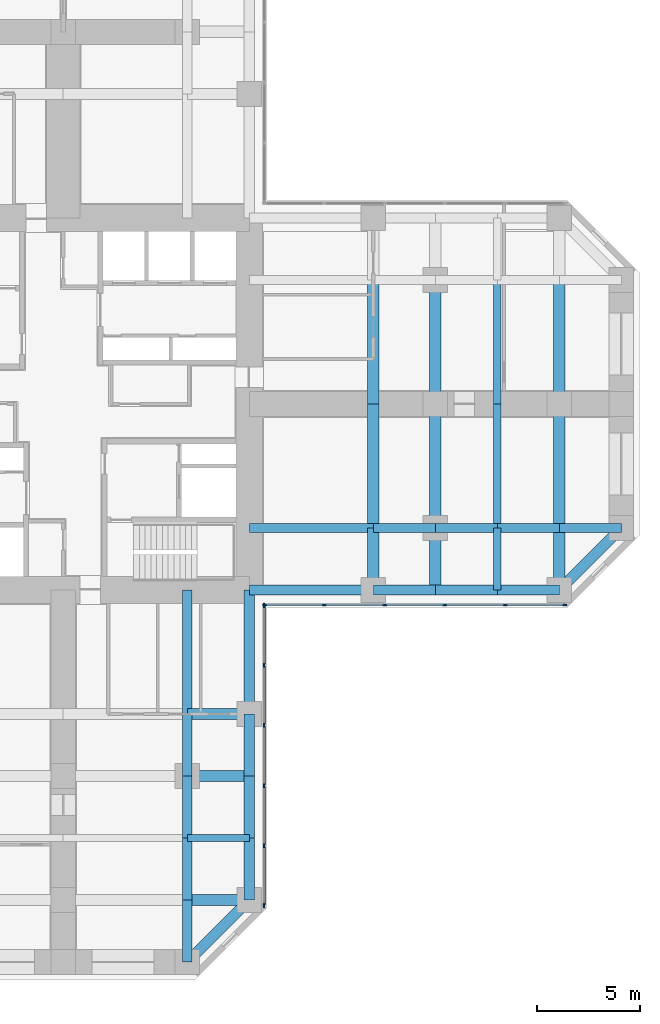
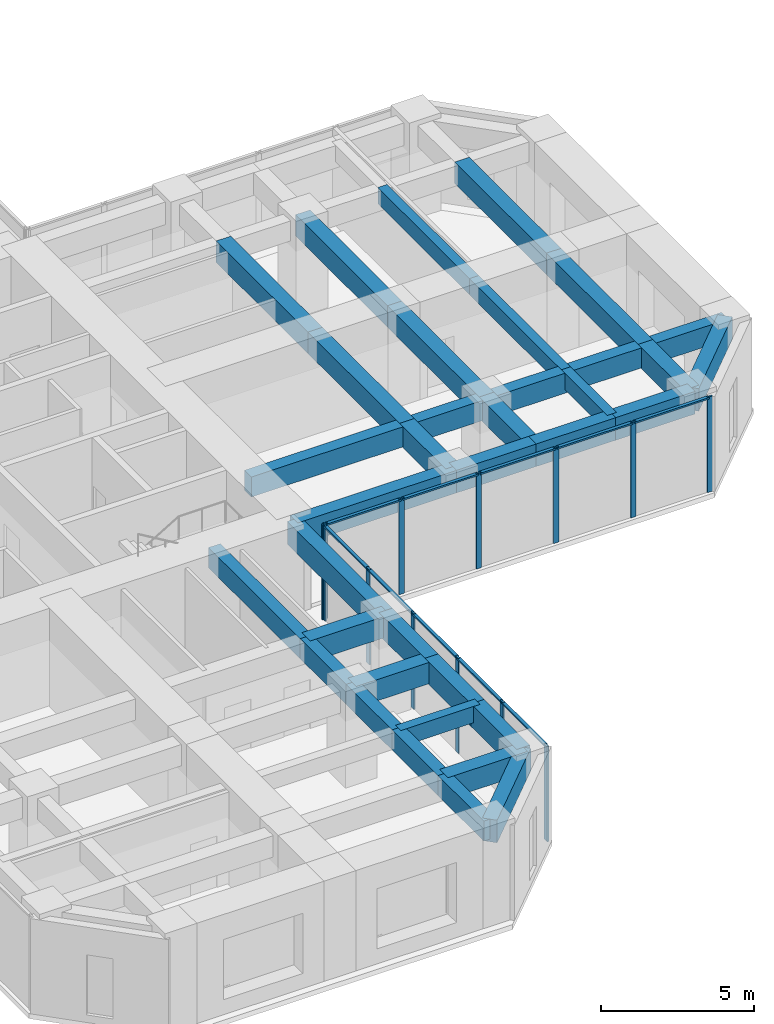
# One storey, part 4 of 12: 36 beams, 22 members, 2 elements without a shape of their own.
"""IFC4 building model written with IfcOpenShell, lengths in metres."""

from ifc_helpers import new_model, si_unit, direction, frame, origin, origin_2d, place, context, subcontext, project, spatial, rectangle, extrude, material, material_profile, profile_set, type_object, element, aggregate, save


model = new_model("IFC4")

# Units and contexts
model_context = context("Model", 3, precision=1e-05, world=origin(), true_north=direction((0.0, 1.0)))
body_context = subcontext(model_context, "Body", "Model", "MODEL_VIEW")
ifc_project = project(units=[si_unit("LENGTHUNIT", "METRE"), si_unit("AREAUNIT", "SQUARE_METRE"), si_unit("VOLUMEUNIT", "CUBIC_METRE"), si_unit("PLANEANGLEUNIT", "RADIAN"), si_unit("MASSUNIT", "GRAM", prefix="KILO")], contexts=[model_context])

# Site, building, storey
site_placement = place(None, origin())
site = spatial("IfcSite", under=ifc_project, at=site_placement, CompositionType="ELEMENT")
building_placement = place(site_placement, origin())
building = spatial("IfcBuilding", under=site, at=building_placement, Name="Torre Cruceta", CompositionType="ELEMENT")
storey_placement = place(building_placement, frame((0.0, 0.0, 67.5)))
storey = spatial("IfcBuildingStorey", under=building, at=storey_placement, Name="L16", CompositionType="ELEMENT", Elevation=67.5)

# Beams
ifc_material_1 = material(Name="Concrete G60 (fck 60 MPa)", Category="concrete")
ifc_material_profile_1 = material_profile(ifc_material_1, rectangle(XDim=0.449951171875, YDim=0.800048828125, at=origin_2d()), Name="RC 450X800")
ifc_profile_set_1 = profile_set([ifc_material_profile_1], Name="Concrete G60 (fck 60 MPa)")
beam_type_1 = type_object("IfcBeamType", Name="COLUMN LINE BEAM RC 450X800", PredefinedType="BEAM", material=ifc_profile_set_1)
beam_1_placement = place(storey_placement, frame((9.0, -6.0, 3.39990234375), z_axis=(1.0, 0.0, 0.0), x_axis=(0.0, 1.0, 0.0)))
element("IfcBeam", 1, at=beam_1_placement, inside=storey, type_object=beam_type_1, Name="LB1 L16 E col- 1", PredefinedType="BEAM", context=body_context, shape_type="SweptSolid", body=[
    extrude(rectangle(XDim=0.449951171875, YDim=0.800048828125, at=origin_2d()), origin(), (0.0, 0.0, 1.0), 6.0),
])
for number, where, z_axis, x_axis, name in (
    (2, (15.0, -6.0, 3.39990234375), (1.0, 0.0, 0.0), (0.0, 1.0, 0.0), "LB1 L16 E col- 2"),
    (3, (18.0, -6.0, 3.39990234375), (1.0, 0.0, 0.0), (0.0, 1.0, 0.0), "LB1 L16 E col- 3"),
    (4, (21.0, -6.0, 3.39990234375), (1.0, 0.0, 0.0), (0.0, 1.0, 0.0), "LB1 L16 E col- 4"),
    (5, (24.0, -6.0, 3.39990234375), (1.0, 0.0, 0.0), (0.0, 1.0, 0.0), "LB1 L16 E col- 5"),
):
    element("IfcBeam", number, at=place(storey_placement, frame(where, z_axis=z_axis, x_axis=x_axis)), inside=storey, type_object=beam_type_1, Name=name, PredefinedType="BEAM", context=body_context, shape_type="SweptSolid", body=[
        extrude(rectangle(XDim=0.449951171875, YDim=0.800048828125, at=origin_2d()), origin(), (0.0, 0.0, 1.0), 3.0),
    ])
beam_2_placement = place(storey_placement, frame((6.0, -9.0, 3.39990234375), z_axis=(0.0, -1.0, 0.0), x_axis=(1.0, 0.0, 0.0)))
element("IfcBeam", 6, at=beam_2_placement, inside=storey, type_object=beam_type_1, Name="LB1 L16 S col+ 1", PredefinedType="BEAM", context=body_context, shape_type="SweptSolid", body=[
    extrude(rectangle(XDim=0.449951171875, YDim=0.800048828125, at=origin_2d()), origin(), (0.0, 0.0, 1.0), 6.0),
])
for number, where, z_axis, x_axis, name in (
    (7, (6.0, -15.0, 3.39990234375), (0.0, -1.0, 0.0), (1.0, 0.0, 0.0), "LB1 L16 S col+ 2"),
    (8, (6.0, -18.0, 3.39990234375), (0.0, -1.0, 0.0), (1.0, 0.0, 0.0), "LB1 L16 S col+ 3"),
    (9, (6.0, -21.0, 3.39990234375), (0.0, -1.0, 0.0), (1.0, 0.0, 0.0), "LB1 L16 S col+ 4"),
    (10, (6.0, -24.0, 3.39990234375), (0.0, -1.0, 0.0), (1.0, 0.0, 0.0), "LB1 L16 S col+ 5"),
):
    element("IfcBeam", number, at=place(storey_placement, frame(where, z_axis=z_axis, x_axis=x_axis)), inside=storey, type_object=beam_type_1, Name=name, PredefinedType="BEAM", context=body_context, shape_type="SweptSolid", body=[
        extrude(rectangle(XDim=0.449951171875, YDim=0.800048828125, at=origin_2d()), origin(), (0.0, 0.0, 1.0), 3.0),
    ])
ifc_material_2 = material(Name="Concrete G60 (fck 60 MPa)", Category="concrete")
ifc_material_profile_2 = material_profile(ifc_material_2, rectangle(XDim=0.550048828125, YDim=0.85009765625, at=origin_2d()), Name="RC 550X850")
ifc_profile_set_2 = profile_set([ifc_material_profile_2], Name="Concrete G60 (fck 60 MPa)")
beam_type_2 = type_object("IfcBeamType", Name="CROSS BEAM RC 550X850", PredefinedType="BEAM", material=ifc_profile_set_2)
beam_3_placement = place(storey_placement, frame((15.0, -9.0, 3.375), z_axis=(0.0, 1.0, 0.0), x_axis=(-1.0, 0.0, 0.0)))
element("IfcBeam", 11, at=beam_3_placement, inside=storey, type_object=beam_type_2, Name="GB4 L16 E cross15 1", PredefinedType="BEAM", context=body_context, shape_type="SweptSolid", body=[
    extrude(rectangle(XDim=0.550048828125, YDim=0.85009765625, at=origin_2d()), origin(), (0.0, 0.0, 1.0), 3.0),
])
for number, where, z_axis, x_axis, name in (
    (12, (15.0, -6.0, 3.375), (0.0, 1.0, 0.0), (-1.0, 0.0, 0.0), "GB4 L16 E cross15 2"),
    (13, (15.0, 0.0, 3.375), (0.0, 1.0, 0.0), (-1.0, 0.0, 0.0), "GB4 L16 E cross15 3"),
):
    element("IfcBeam", number, at=place(storey_placement, frame(where, z_axis=z_axis, x_axis=x_axis)), inside=storey, type_object=beam_type_2, Name=name, PredefinedType="BEAM", context=body_context, shape_type="SweptSolid", body=[
        extrude(rectangle(XDim=0.550048828125, YDim=0.85009765625, at=origin_2d()), origin(), (0.0, 0.0, 1.0), 6.0),
    ])
beam_4_placement = place(storey_placement, frame((18.0, -9.0, 3.375), z_axis=(0.0, 1.0, 0.0), x_axis=(-1.0, 0.0, 0.0)))
element("IfcBeam", 14, at=beam_4_placement, inside=storey, type_object=beam_type_2, Name="GB4 L16 E cross18 1", PredefinedType="BEAM", context=body_context, shape_type="SweptSolid", body=[
    extrude(rectangle(XDim=0.550048828125, YDim=0.85009765625, at=origin_2d()), origin(), (0.0, 0.0, 1.0), 3.0),
])
for number, where, z_axis, x_axis, name in (
    (15, (18.0, -6.0, 3.375), (0.0, 1.0, 0.0), (-1.0, 0.0, 0.0), "GB4 L16 E cross18 2"),
    (16, (18.0, 0.0, 3.375), (0.0, 1.0, 0.0), (-1.0, 0.0, 0.0), "GB4 L16 E cross18 3"),
):
    element("IfcBeam", number, at=place(storey_placement, frame(where, z_axis=z_axis, x_axis=x_axis)), inside=storey, type_object=beam_type_2, Name=name, PredefinedType="BEAM", context=body_context, shape_type="SweptSolid", body=[
        extrude(rectangle(XDim=0.550048828125, YDim=0.85009765625, at=origin_2d()), origin(), (0.0, 0.0, 1.0), 6.0),
    ])
beam_5_placement = place(storey_placement, frame((24.0, -9.0, 3.375), z_axis=(0.0, 1.0, 0.0), x_axis=(-1.0, 0.0, 0.0)))
element("IfcBeam", 17, at=beam_5_placement, inside=storey, type_object=beam_type_2, Name="GB4 L16 E cross24 1", PredefinedType="BEAM", context=body_context, shape_type="SweptSolid", body=[
    extrude(rectangle(XDim=0.550048828125, YDim=0.85009765625, at=origin_2d()), origin(), (0.0, 0.0, 1.0), 3.0),
])
for number, where, z_axis, x_axis, name in (
    (18, (24.0, -6.0, 3.375), (0.0, 1.0, 0.0), (-1.0, 0.0, 0.0), "GB4 L16 E cross24 2"),
    (19, (24.0, 0.0, 3.375), (0.0, 1.0, 0.0), (-1.0, 0.0, 0.0), "GB4 L16 E cross24 3"),
):
    element("IfcBeam", number, at=place(storey_placement, frame(where, z_axis=z_axis, x_axis=x_axis)), inside=storey, type_object=beam_type_2, Name=name, PredefinedType="BEAM", context=body_context, shape_type="SweptSolid", body=[
        extrude(rectangle(XDim=0.550048828125, YDim=0.85009765625, at=origin_2d()), origin(), (0.0, 0.0, 1.0), 6.0),
    ])
for number, where, z_axis, x_axis, name in (
    (20, (6.0, -15.0, 3.375), (1.0, 0.0, 0.0), (0.0, 1.0, 0.0), "GB4 L16 S cross15 4"),
    (21, (6.0, -18.0, 3.375), (1.0, 0.0, 0.0), (0.0, 1.0, 0.0), "GB4 L16 S cross18 4"),
    (22, (6.0, -24.0, 3.375), (1.0, 0.0, 0.0), (0.0, 1.0, 0.0), "GB4 L16 S cross24 4"),
):
    element("IfcBeam", number, at=place(storey_placement, frame(where, z_axis=z_axis, x_axis=x_axis)), inside=storey, type_object=beam_type_2, Name=name, PredefinedType="BEAM", context=body_context, shape_type="SweptSolid", body=[
        extrude(rectangle(XDim=0.550048828125, YDim=0.85009765625, at=origin_2d()), origin(), (0.0, 0.0, 1.0), 3.0),
    ])

# Curtain wall, members
ifc_material_3 = material(Name="Aluminium unitised curtain wall", Category="aluminium")
curtain_wall_type = type_object("IfcCurtainWallType", Name="CURTAIN WALL CW-A OFFICE LOW RISE", PredefinedType="USERDEFINED", material=ifc_material_3)
curtain_wall_1_placement = place(storey_placement, origin())
curtain_wall_1 = element("IfcCurtainWall", 23, at=curtain_wall_1_placement, inside=storey, type_object=curtain_wall_type, Name="CW-A L16 E side 00", ObjectType="UNITISED", PredefinedType="USERDEFINED")
ifc_material_4 = material(Name="Aluminium mullion", Category="aluminium")
ifc_material_profile_3 = material_profile(ifc_material_4, rectangle(XDim=0.06494140625, YDim=0.199951171875, at=origin_2d()), Name="AL 65X200")
ifc_profile_set_3 = profile_set([ifc_material_profile_3], Name="Aluminium mullion")
member_type_1 = type_object("IfcMemberType", Name="CW-A MULLION 65X200", PredefinedType="MULLION", material=ifc_profile_set_3)
member_1_placement = place(storey_placement, frame((9.75244140625, -9.719970703125, 0.0), z_axis=(0.0, 0.0, 1.0), x_axis=(0.0, 1.0, 0.0)))
member_1 = element("IfcMember", 24, at=member_1_placement, type_object=member_type_1, Name="CW-A mullion 1", PredefinedType="MULLION", context=body_context, shape_type="SweptSolid", body=[
    extrude(rectangle(XDim=0.06494140625, YDim=0.199951171875, at=origin_2d()), origin(), (0.0, 0.0, 1.0), 3.800048828125),
])
member_2_placement = place(storey_placement, frame((12.6357421875, -9.719970703125, 0.0), z_axis=(0.0, 0.0, 1.0), x_axis=(0.0, 1.0, 0.0)))
member_2 = element("IfcMember", 25, at=member_2_placement, type_object=member_type_1, Name="CW-A mullion 2", PredefinedType="MULLION", context=body_context, shape_type="SweptSolid", body=[
    extrude(rectangle(XDim=0.06494140625, YDim=0.199951171875, at=origin_2d()), origin(), (0.0, 0.0, 1.0), 3.800048828125),
])
member_3_placement = place(storey_placement, frame((15.55126953125, -9.719970703125, 0.0), z_axis=(0.0, 0.0, 1.0), x_axis=(0.0, 1.0, 0.0)))
member_3 = element("IfcMember", 26, at=member_3_placement, type_object=member_type_1, Name="CW-A mullion 3", PredefinedType="MULLION", context=body_context, shape_type="SweptSolid", body=[
    extrude(rectangle(XDim=0.06494140625, YDim=0.199951171875, at=origin_2d()), origin(), (0.0, 0.0, 1.0), 3.800048828125),
])
member_4_placement = place(storey_placement, frame((18.467041015625, -9.719970703125, 0.0), z_axis=(0.0, 0.0, 1.0), x_axis=(0.0, 1.0, 0.0)))
member_4 = element("IfcMember", 27, at=member_4_placement, type_object=member_type_1, Name="CW-A mullion 4", PredefinedType="MULLION", context=body_context, shape_type="SweptSolid", body=[
    extrude(rectangle(XDim=0.06494140625, YDim=0.199951171875, at=origin_2d()), origin(), (0.0, 0.0, 1.0), 3.800048828125),
])
member_5_placement = place(storey_placement, frame((21.382568359375, -9.719970703125, 0.0), z_axis=(0.0, 0.0, 1.0), x_axis=(0.0, 1.0, 0.0)))
member_5 = element("IfcMember", 28, at=member_5_placement, type_object=member_type_1, Name="CW-A mullion 5", PredefinedType="MULLION", context=body_context, shape_type="SweptSolid", body=[
    extrude(rectangle(XDim=0.06494140625, YDim=0.199951171875, at=origin_2d()), origin(), (0.0, 0.0, 1.0), 3.800048828125),
])
member_6_placement = place(storey_placement, frame((24.265625, -9.719970703125, 0.0), z_axis=(0.0, 0.0, 1.0), x_axis=(0.0, 1.0, 0.0)))
member_6 = element("IfcMember", 29, at=member_6_placement, type_object=member_type_1, Name="CW-A mullion 6", PredefinedType="MULLION", context=body_context, shape_type="SweptSolid", body=[
    extrude(rectangle(XDim=0.06494140625, YDim=0.199951171875, at=origin_2d()), origin(), (0.0, 0.0, 1.0), 3.800048828125),
])

curtain_wall_2_placement = place(storey_placement, origin())
curtain_wall_2 = element("IfcCurtainWall", 30, at=curtain_wall_2_placement, inside=storey, type_object=curtain_wall_type, Name="CW-A L16 S side 19", ObjectType="UNITISED", PredefinedType="USERDEFINED")
member_7_placement = place(storey_placement, frame((9.719970703125, -24.265625, 0.0), z_axis=(0.0, 0.0, 1.0), x_axis=(-1.0, 0.0, 0.0)))
member_7 = element("IfcMember", 31, at=member_7_placement, type_object=member_type_1, Name="CW-A mullion 1", PredefinedType="MULLION", context=body_context, shape_type="SweptSolid", body=[
    extrude(rectangle(XDim=0.06494140625, YDim=0.199951171875, at=origin_2d()), origin(), (0.0, 0.0, 1.0), 3.800048828125),
])
member_8_placement = place(storey_placement, frame((9.719970703125, -21.382568359375, 0.0), z_axis=(0.0, 0.0, 1.0), x_axis=(-1.0, 0.0, 0.0)))
member_8 = element("IfcMember", 32, at=member_8_placement, type_object=member_type_1, Name="CW-A mullion 2", PredefinedType="MULLION", context=body_context, shape_type="SweptSolid", body=[
    extrude(rectangle(XDim=0.06494140625, YDim=0.199951171875, at=origin_2d()), origin(), (0.0, 0.0, 1.0), 3.800048828125),
])
member_9_placement = place(storey_placement, frame((9.719970703125, -18.467041015625, 0.0), z_axis=(0.0, 0.0, 1.0), x_axis=(-1.0, 0.0, 0.0)))
member_9 = element("IfcMember", 33, at=member_9_placement, type_object=member_type_1, Name="CW-A mullion 3", PredefinedType="MULLION", context=body_context, shape_type="SweptSolid", body=[
    extrude(rectangle(XDim=0.06494140625, YDim=0.199951171875, at=origin_2d()), origin(), (0.0, 0.0, 1.0), 3.800048828125),
])
member_10_placement = place(storey_placement, frame((9.719970703125, -15.55126953125, 0.0), z_axis=(0.0, 0.0, 1.0), x_axis=(-1.0, 0.0, 0.0)))
member_10 = element("IfcMember", 34, at=member_10_placement, type_object=member_type_1, Name="CW-A mullion 4", PredefinedType="MULLION", context=body_context, shape_type="SweptSolid", body=[
    extrude(rectangle(XDim=0.06494140625, YDim=0.199951171875, at=origin_2d()), origin(), (0.0, 0.0, 1.0), 3.800048828125),
])
member_11_placement = place(storey_placement, frame((9.719970703125, -12.6357421875, 0.0), z_axis=(0.0, 0.0, 1.0), x_axis=(-1.0, 0.0, 0.0)))
member_11 = element("IfcMember", 35, at=member_11_placement, type_object=member_type_1, Name="CW-A mullion 5", PredefinedType="MULLION", context=body_context, shape_type="SweptSolid", body=[
    extrude(rectangle(XDim=0.06494140625, YDim=0.199951171875, at=origin_2d()), origin(), (0.0, 0.0, 1.0), 3.800048828125),
])
member_12_placement = place(storey_placement, frame((9.719970703125, -9.75244140625, 0.0), z_axis=(0.0, 0.0, 1.0), x_axis=(-1.0, 0.0, 0.0)))
member_12 = element("IfcMember", 36, at=member_12_placement, type_object=member_type_1, Name="CW-A mullion 6", PredefinedType="MULLION", context=body_context, shape_type="SweptSolid", body=[
    extrude(rectangle(XDim=0.06494140625, YDim=0.199951171875, at=origin_2d()), origin(), (0.0, 0.0, 1.0), 3.800048828125),
])

# Member
ifc_material_5 = material(Name="Aluminium transom", Category="aluminium")
ifc_material_profile_4 = material_profile(ifc_material_5, rectangle(XDim=0.1201171875, YDim=0.06494140625, at=origin_2d()), Name="AL 120X65")
ifc_profile_set_4 = profile_set([ifc_material_profile_4], Name="Aluminium transom")
member_type_2 = type_object("IfcMemberType", Name="CW-A TRANSOM 65X120", PredefinedType="USERDEFINED", material=ifc_profile_set_4)
member_13_placement = place(storey_placement, frame((9.784912109375, -9.719970703125, 3.767578125), z_axis=(1.0, 0.0, 0.0), x_axis=(0.0, 1.0, 0.0)))
member_13 = element("IfcMember", 37, at=member_13_placement, type_object=member_type_2, Name="CW-A transom 1", ObjectType="TRANSOM", PredefinedType="USERDEFINED", context=body_context, shape_type="SweptSolid", body=[
    extrude(rectangle(XDim=0.1201171875, YDim=0.06494140625, at=origin_2d()), origin(), (0.0, 0.0, 1.0), 2.818115234375),
])

member_14_placement = place(storey_placement, frame((12.668212890625, -9.719970703125, 3.767578125), z_axis=(1.0, 0.0, 0.0), x_axis=(0.0, 1.0, 0.0)))
member_14 = element("IfcMember", 38, at=member_14_placement, type_object=member_type_2, Name="CW-A transom 2", ObjectType="TRANSOM", PredefinedType="USERDEFINED", context=body_context, shape_type="SweptSolid", body=[
    extrude(rectangle(XDim=0.1201171875, YDim=0.06494140625, at=origin_2d()), origin(), (0.0, 0.0, 1.0), 2.8505859375),
])

member_15_placement = place(storey_placement, frame((15.583740234375, -9.719970703125, 3.767578125), z_axis=(1.0, 0.0, 0.0), x_axis=(0.0, 1.0, 0.0)))
member_15 = element("IfcMember", 39, at=member_15_placement, type_object=member_type_2, Name="CW-A transom 3", ObjectType="TRANSOM", PredefinedType="USERDEFINED", context=body_context, shape_type="SweptSolid", body=[
    extrude(rectangle(XDim=0.1201171875, YDim=0.06494140625, at=origin_2d()), origin(), (0.0, 0.0, 1.0), 2.8505859375),
])

member_16_placement = place(storey_placement, frame((18.49951171875, -9.719970703125, 3.767578125), z_axis=(1.0, 0.0, 0.0), x_axis=(0.0, 1.0, 0.0)))
member_16 = element("IfcMember", 40, at=member_16_placement, type_object=member_type_2, Name="CW-A transom 4", ObjectType="TRANSOM", PredefinedType="USERDEFINED", context=body_context, shape_type="SweptSolid", body=[
    extrude(rectangle(XDim=0.1201171875, YDim=0.06494140625, at=origin_2d()), origin(), (0.0, 0.0, 1.0), 2.8505859375),
])

member_17_placement = place(storey_placement, frame((21.4150390625, -9.719970703125, 3.767578125), z_axis=(1.0, 0.0, 0.0), x_axis=(0.0, 1.0, 0.0)))
member_17 = element("IfcMember", 41, at=member_17_placement, type_object=member_type_2, Name="CW-A transom 5", ObjectType="TRANSOM", PredefinedType="USERDEFINED", context=body_context, shape_type="SweptSolid", body=[
    extrude(rectangle(XDim=0.1201171875, YDim=0.06494140625, at=origin_2d()), origin(), (0.0, 0.0, 1.0), 2.818115234375),
])

aggregate(curtain_wall_1, [member_1, member_2, member_3, member_4, member_5, member_6, member_13, member_14, member_15, member_16, member_17])

member_18_placement = place(storey_placement, frame((9.719970703125, -24.233154296875, 3.767578125), z_axis=(0.0, 1.0, 0.0), x_axis=(-1.0, 0.0, 0.0)))
member_18 = element("IfcMember", 42, at=member_18_placement, type_object=member_type_2, Name="CW-A transom 1", ObjectType="TRANSOM", PredefinedType="USERDEFINED", context=body_context, shape_type="SweptSolid", body=[
    extrude(rectangle(XDim=0.1201171875, YDim=0.06494140625, at=origin_2d()), origin(), (0.0, 0.0, 1.0), 2.818115234375),
])

member_19_placement = place(storey_placement, frame((9.719970703125, -21.35009765625, 3.767578125), z_axis=(0.0, 1.0, 0.0), x_axis=(-1.0, 0.0, 0.0)))
member_19 = element("IfcMember", 43, at=member_19_placement, type_object=member_type_2, Name="CW-A transom 2", ObjectType="TRANSOM", PredefinedType="USERDEFINED", context=body_context, shape_type="SweptSolid", body=[
    extrude(rectangle(XDim=0.1201171875, YDim=0.06494140625, at=origin_2d()), origin(), (0.0, 0.0, 1.0), 2.8505859375),
])

member_20_placement = place(storey_placement, frame((9.719970703125, -18.434326171875, 3.767578125), z_axis=(0.0, 1.0, 0.0), x_axis=(-1.0, 0.0, 0.0)))
member_20 = element("IfcMember", 44, at=member_20_placement, type_object=member_type_2, Name="CW-A transom 3", ObjectType="TRANSOM", PredefinedType="USERDEFINED", context=body_context, shape_type="SweptSolid", body=[
    extrude(rectangle(XDim=0.1201171875, YDim=0.06494140625, at=origin_2d()), origin(), (0.0, 0.0, 1.0), 2.8505859375),
])

member_21_placement = place(storey_placement, frame((9.719970703125, -15.518798828125, 3.767578125), z_axis=(0.0, 1.0, 0.0), x_axis=(-1.0, 0.0, 0.0)))
member_21 = element("IfcMember", 45, at=member_21_placement, type_object=member_type_2, Name="CW-A transom 4", ObjectType="TRANSOM", PredefinedType="USERDEFINED", context=body_context, shape_type="SweptSolid", body=[
    extrude(rectangle(XDim=0.1201171875, YDim=0.06494140625, at=origin_2d()), origin(), (0.0, 0.0, 1.0), 2.8505859375),
])

member_22_placement = place(storey_placement, frame((9.719970703125, -12.60302734375, 3.767578125), z_axis=(0.0, 1.0, 0.0), x_axis=(-1.0, 0.0, 0.0)))
member_22 = element("IfcMember", 46, at=member_22_placement, type_object=member_type_2, Name="CW-A transom 5", ObjectType="TRANSOM", PredefinedType="USERDEFINED", context=body_context, shape_type="SweptSolid", body=[
    extrude(rectangle(XDim=0.1201171875, YDim=0.06494140625, at=origin_2d()), origin(), (0.0, 0.0, 1.0), 2.818115234375),
])

aggregate(curtain_wall_2, [member_7, member_8, member_9, member_10, member_11, member_12, member_18, member_19, member_20, member_21, member_22])

# Beams
ifc_material_6 = material(Name="Concrete G60 (fck 60 MPa)", Category="concrete")
ifc_material_profile_5 = material_profile(ifc_material_6, rectangle(XDim=0.35009765625, YDim=0.64990234375, at=origin_2d()), Name="RC 350X650")
ifc_profile_set_5 = profile_set([ifc_material_profile_5], Name="Concrete G60 (fck 60 MPa)")
beam_type_3 = type_object("IfcBeamType", Name="SECONDARY BEAM RC 350X650", PredefinedType="JOIST", material=ifc_profile_set_5)
beam_6_placement = place(storey_placement, frame((21.0, -9.0, 3.47509765625), z_axis=(0.0, 1.0, 0.0), x_axis=(-1.0, 0.0, 0.0)))
element("IfcBeam", 47, at=beam_6_placement, inside=storey, type_object=beam_type_3, Name="JB3 L16 E sec21 1", PredefinedType="JOIST", context=body_context, shape_type="SweptSolid", body=[
    extrude(rectangle(XDim=0.35009765625, YDim=0.64990234375, at=origin_2d()), origin(), (0.0, 0.0, 1.0), 3.0),
])
for number, where, z_axis, x_axis, name in (
    (48, (21.0, -6.0, 3.47509765625), (0.0, 1.0, 0.0), (-1.0, 0.0, 0.0), "JB3 L16 E sec21 2"),
    (49, (21.0, 0.0, 3.47509765625), (0.0, 1.0, 0.0), (-1.0, 0.0, 0.0), "JB3 L16 E sec21 3"),
):
    element("IfcBeam", number, at=place(storey_placement, frame(where, z_axis=z_axis, x_axis=x_axis)), inside=storey, type_object=beam_type_3, Name=name, PredefinedType="JOIST", context=body_context, shape_type="SweptSolid", body=[
        extrude(rectangle(XDim=0.35009765625, YDim=0.64990234375, at=origin_2d()), origin(), (0.0, 0.0, 1.0), 6.0),
    ])
beam_7_placement = place(storey_placement, frame((6.0, -21.0, 3.47509765625), z_axis=(1.0, 0.0, 0.0), x_axis=(0.0, 1.0, 0.0)))
element("IfcBeam", 50, at=beam_7_placement, inside=storey, type_object=beam_type_3, Name="JB3 L16 S sec21 4", PredefinedType="JOIST", context=body_context, shape_type="SweptSolid", body=[
    extrude(rectangle(XDim=0.35009765625, YDim=0.64990234375, at=origin_2d()), origin(), (0.0, 0.0, 1.0), 3.0),
])
ifc_material_7 = material(Name="Concrete G60 (fck 60 MPa)", Category="concrete")
ifc_material_profile_6 = material_profile(ifc_material_7, rectangle(XDim=0.5, YDim=0.89990234375, at=origin_2d()), Name="RC 500X900")
ifc_profile_set_6 = profile_set([ifc_material_profile_6], Name="Concrete G60 (fck 60 MPa)")
beam_type_4 = type_object("IfcBeamType", Name="SPANDREL BEAM RC 500X900", PredefinedType="SPANDREL", material=ifc_profile_set_6)
beam_8_placement = place(storey_placement, frame((9.0, -9.0, 3.35009765625), z_axis=(1.0, 0.0, 0.0), x_axis=(0.0, 1.0, 0.0)))
element("IfcBeam", 51, at=beam_8_placement, inside=storey, type_object=beam_type_4, Name="SB4 L16 E side- 1", PredefinedType="SPANDREL", context=body_context, shape_type="SweptSolid", body=[
    extrude(rectangle(XDim=0.5, YDim=0.89990234375, at=origin_2d()), origin(), (0.0, 0.0, 1.0), 6.0),
])
for number, where, z_axis, x_axis, name in (
    (52, (15.0, -9.0, 3.35009765625), (1.0, 0.0, 0.0), (0.0, 1.0, 0.0), "SB4 L16 E side- 2"),
    (53, (18.0, -9.0, 3.35009765625), (1.0, 0.0, 0.0), (0.0, 1.0, 0.0), "SB4 L16 E side- 3"),
    (54, (21.0, -9.0, 3.35009765625), (1.0, 0.0, 0.0), (0.0, 1.0, 0.0), "SB4 L16 E side- 4"),
):
    element("IfcBeam", number, at=place(storey_placement, frame(where, z_axis=z_axis, x_axis=x_axis)), inside=storey, type_object=beam_type_4, Name=name, PredefinedType="SPANDREL", context=body_context, shape_type="SweptSolid", body=[
        extrude(rectangle(XDim=0.5, YDim=0.89990234375, at=origin_2d()), origin(), (0.0, 0.0, 1.0), 3.0),
    ])
beam_9_placement = place(storey_placement, frame((24.0, -9.0, 3.35009765625), z_axis=(0.707106781187, 0.707106781187, 0.0), x_axis=(-0.707106781187, 0.707106781187, 0.0)))
element("IfcBeam", 55, at=beam_9_placement, inside=storey, type_object=beam_type_4, Name="SB4 L16 E side- 5", PredefinedType="SPANDREL", context=body_context, shape_type="SweptSolid", body=[
    extrude(rectangle(XDim=0.5, YDim=0.89990234375, at=origin_2d()), origin(), (0.0, 0.0, 1.0), 4.24267578125),
])
beam_10_placement = place(storey_placement, frame((9.0, -9.0, 3.35009765625), z_axis=(0.0, -1.0, 0.0), x_axis=(1.0, 0.0, 0.0)))
element("IfcBeam", 56, at=beam_10_placement, inside=storey, type_object=beam_type_4, Name="SB4 L16 S side+ 1", PredefinedType="SPANDREL", context=body_context, shape_type="SweptSolid", body=[
    extrude(rectangle(XDim=0.5, YDim=0.89990234375, at=origin_2d()), origin(), (0.0, 0.0, 1.0), 6.0),
])
for number, where, z_axis, x_axis, name in (
    (57, (9.0, -15.0, 3.35009765625), (0.0, -1.0, 0.0), (1.0, 0.0, 0.0), "SB4 L16 S side+ 2"),
    (58, (9.0, -18.0, 3.35009765625), (0.0, -1.0, 0.0), (1.0, 0.0, 0.0), "SB4 L16 S side+ 3"),
    (59, (9.0, -21.0, 3.35009765625), (0.0, -1.0, 0.0), (1.0, 0.0, 0.0), "SB4 L16 S side+ 4"),
):
    element("IfcBeam", number, at=place(storey_placement, frame(where, z_axis=z_axis, x_axis=x_axis)), inside=storey, type_object=beam_type_4, Name=name, PredefinedType="SPANDREL", context=body_context, shape_type="SweptSolid", body=[
        extrude(rectangle(XDim=0.5, YDim=0.89990234375, at=origin_2d()), origin(), (0.0, 0.0, 1.0), 3.0),
    ])
beam_11_placement = place(storey_placement, frame((9.0, -24.0, 3.35009765625), z_axis=(-0.707106781187, -0.707106781187, 0.0), x_axis=(0.707106781187, -0.707106781187, 0.0)))
element("IfcBeam", 60, at=beam_11_placement, inside=storey, type_object=beam_type_4, Name="SB4 L16 S side+ 5", PredefinedType="SPANDREL", context=body_context, shape_type="SweptSolid", body=[
    extrude(rectangle(XDim=0.5, YDim=0.89990234375, at=origin_2d()), origin(), (0.0, 0.0, 1.0), 4.24267578125),
])

save(model, "model.ifc")
